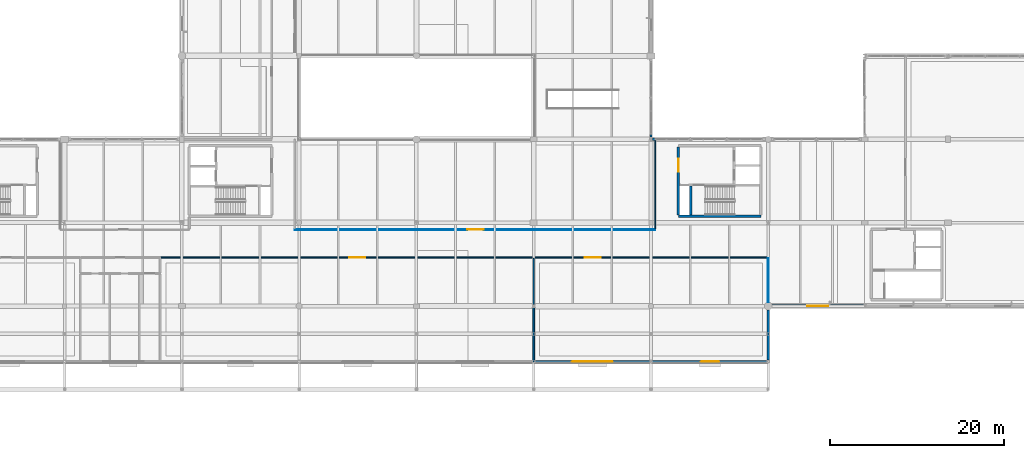
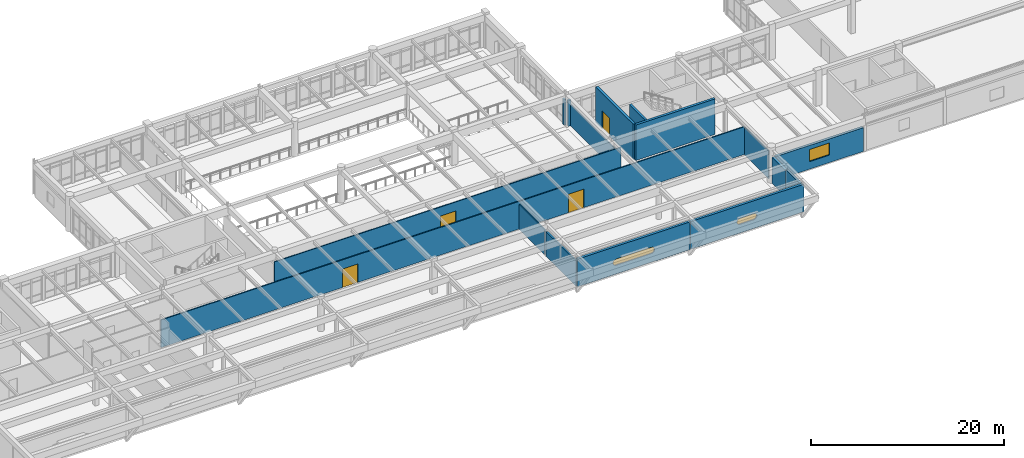
# One storey, part 67 of 80: 16 walls, 4 doors, 3 windows, 7 openings.
"""IFC4 building model written with IfcOpenShell, lengths in metres."""

import ifcopenshell
import ifcopenshell.guid

model = None  # the IFC model being written
_history = None  # IfcOwnerHistory: only IFC2X3 demands one
_inside = {}  # id of a spatial element -> (the spatial element, [elements in it])
_under = {}  # id of a project, library or spatial element -> (it, [spatial elements below it])
_declared = {}  # id of a project -> (the project, [libraries it declares])
_typed = {}  # id of a type object -> (the type object, [elements of that type])
_made_of = {}  # id of a material, layer set ... -> (it, [elements and type objects made of it])


def new_model(schema):
    """Start an empty IFC model of exactly this schema.

    Asked for "IFC4X3", IfcOpenShell would pick the latest addendum, in which some entities
    have other attributes; the version numbers below select the first issue.
    IFC2X3 requires an IfcOwnerHistory on every rooted entity: one is made here for all.
    """
    global model, _history
    if schema == "IFC4X3":
        model = ifcopenshell.file(schema_version=(4, 3, 0, 0))
    else:
        model = ifcopenshell.file(schema=schema)
    _inside.clear()
    _under.clear()
    _declared.clear()
    _typed.clear()
    _made_of.clear()
    _history = None
    if model.schema == "IFC2X3":
        org = make("IfcOrganization", Name="unknown")
        user = make(
            "IfcPersonAndOrganization",
            ThePerson=make("IfcPerson", FamilyName="unknown"),
            TheOrganization=org,
        )
        app = make(
            "IfcApplication",
            ApplicationDeveloper=org,
            Version="unknown",
            ApplicationFullName="unknown",
            ApplicationIdentifier="unknown",
        )
        _history = make(
            "IfcOwnerHistory",
            OwningUser=user,
            OwningApplication=app,
            ChangeAction="ADDED",
            CreationDate=0,
        )
    return model


def make(cls, **values):
    """One entity of the class cls with the attributes given. An attribute that is None is left unset."""
    return model.create_entity(
        cls, **{name: value for name, value in values.items() if value is not None}
    )


def rooted(cls, **values):
    """An entity with a GlobalId (a new one), such as an element, a storey or a relation."""
    return make(cls, GlobalId=ifcopenshell.guid.new(), OwnerHistory=_history, **values)


def si_unit(unit_type, name, prefix=None):
    """IfcSIUnit, for example si_unit("LENGTHUNIT", "METRE", prefix="MILLI")."""
    return make("IfcSIUnit", UnitType=unit_type, Prefix=prefix, Name=name)


def assignment(units):
    """IfcUnitAssignment: the units of a project."""
    return None if units is None else make("IfcUnitAssignment", Units=units)


def point(xyz):
    """IfcCartesianPoint."""
    return None if xyz is None else make("IfcCartesianPoint", Coordinates=xyz)


def direction(xyz):
    """IfcDirection."""
    return None if xyz is None else make("IfcDirection", DirectionRatios=xyz)


def frame(location, z_axis=None, x_axis=None):
    """IfcAxis2Placement3D, a coordinate frame: its origin and axes. An axis left out is left unset."""
    return make(
        "IfcAxis2Placement3D",
        Location=point(location),
        Axis=direction(z_axis),
        RefDirection=direction(x_axis),
    )


def frame_2d(location, x_axis=None):
    """IfcAxis2Placement2D, a coordinate frame in the plane: its origin and x axis."""
    return make(
        "IfcAxis2Placement2D", Location=point(location), RefDirection=direction(x_axis)
    )


def origin():
    """The frame at (0, 0, 0) with its axes left unset."""
    return frame((0.0, 0.0, 0.0))


def place(relative_to, where):
    """IfcLocalPlacement: puts the frame where relative to a parent placement (None: the world)."""
    return make(
        "IfcLocalPlacement", PlacementRelTo=relative_to, RelativePlacement=where
    )


def context(
    kind, dimensions, precision=None, world=None, true_north=None, identifier=None
):
    """IfcGeometricRepresentationContext, for example the 3D "Model" context."""
    return make(
        "IfcGeometricRepresentationContext",
        ContextIdentifier=identifier,
        ContextType=kind,
        CoordinateSpaceDimension=dimensions,
        Precision=precision,
        WorldCoordinateSystem=world,
        TrueNorth=true_north,
    )


def subcontext(parent, identifier, kind, view, scale=None):
    """IfcGeometricRepresentationSubContext, for example "Body" below "Model"."""
    return make(
        "IfcGeometricRepresentationSubContext",
        ContextIdentifier=identifier,
        ContextType=kind,
        ParentContext=parent,
        TargetScale=scale,
        TargetView=view,
    )


def project(units=None, contexts=None):
    """IfcProject with its units and contexts."""
    return rooted(
        "IfcProject",
        Name="project",
        RepresentationContexts=contexts,
        UnitsInContext=assignment(units),
    )


def spatial(cls, under=None, at=None, **own):
    """A site, building, storey or space (cls), placed at a placement, below another one or the project."""
    s = rooted(cls, ObjectPlacement=at, **own)
    if under is not None:
        _under.setdefault(under.id(), (under, []))[1].append(s)
    return s


def polyline(points):
    """IfcPolyline through the points."""
    return make("IfcPolyline", Points=[point(p) for p in points])


def profile(cls, at=None, kind="AREA", **sizes):
    """A parametric profile (cls). Its sizes go by their IFC names, for example OverallWidth=200.0."""
    return make(cls, ProfileType=kind, Position=at, **sizes)


def rectangle(**sizes):
    """IfcRectangleProfileDef."""
    return profile("IfcRectangleProfileDef", **sizes)


def outline(outer, holes=None, kind="AREA"):
    """IfcArbitraryClosedProfileDef: a profile drawn as a closed curve; with holes, ...WithVoids."""
    if holes is None:
        return make("IfcArbitraryClosedProfileDef", ProfileType=kind, OuterCurve=outer)
    return make(
        "IfcArbitraryProfileDefWithVoids",
        ProfileType=kind,
        OuterCurve=outer,
        InnerCurves=holes,
    )


def extrude(swept, where, along, depth):
    """IfcExtrudedAreaSolid: the profile swept, set in the frame where, extruded along a direction by depth."""
    return make(
        "IfcExtrudedAreaSolid",
        SweptArea=swept,
        Position=where,
        ExtrudedDirection=direction(along),
        Depth=depth,
    )


def shape(context_of_items, identifier, shape_type, items):
    """IfcShapeRepresentation: the items that make up one representation, for example the "Body"."""
    return make(
        "IfcShapeRepresentation",
        ContextOfItems=context_of_items,
        RepresentationIdentifier=identifier,
        RepresentationType=shape_type,
        Items=items,
    )


def material(Name=None, Category=None):
    """IfcMaterial."""
    return make("IfcMaterial", Name=Name, Category=Category)


def layer(
    of_material, thickness, ventilated=None, Name=None, Category=None, Priority=None
):
    """IfcMaterialLayer: one layer of a wall or slab, of a material (None: an air gap)."""
    return make(
        "IfcMaterialLayer",
        Material=of_material,
        LayerThickness=thickness,
        IsVentilated=ventilated,
        Name=Name,
        Category=Category,
        Priority=Priority,
    )


def layer_set(layers, Name=None):
    """IfcMaterialLayerSet."""
    return make("IfcMaterialLayerSet", MaterialLayers=layers, LayerSetName=Name)


def made_of(thing, what):
    """Note that an element or type object is made of a material, layer set ...; save() writes the relation."""
    if what is not None:
        _made_of.setdefault(what.id(), (what, []))[1].append(thing)
    return thing


def type_object(cls, material=None, **own):
    """A type object (cls), such as IfcWallType, which elements share."""
    return made_of(rooted(cls, **own), material)


def element(
    cls,
    number,
    at=None,
    inside=None,
    cuts=None,
    type_object=None,
    material=None,
    context=None,
    identifier="Body",
    shape_type=None,
    held_by="IfcProductDefinitionShape",
    body=None,
    shapes=None,
    **own,
):
    """One element of the class cls, such as IfcWall. Its Tag is "e" and its number.

    at: its placement. inside: the storey or other place that contains it. cuts: it is an
    opening in that element (IfcRelVoidsElement). A single representation is given by context,
    identifier, shape_type and body (its items); several are given by shapes. held_by: the class
    of the entity that holds the representations. save() writes the other relations.
    """
    e = rooted(cls, Tag="e%d" % number, ObjectPlacement=at, **own)
    if body is not None:
        shapes = [shape(context, identifier, shape_type, body)]
    if shapes is not None:
        e.Representation = make(held_by, Representations=shapes)
    if inside is not None:
        _inside.setdefault(inside.id(), (inside, []))[1].append(e)
    if cuts is not None:
        rooted(
            "IfcRelVoidsElement", RelatingBuildingElement=cuts, RelatedOpeningElement=e
        )
    if type_object is not None:
        _typed.setdefault(type_object.id(), (type_object, []))[1].append(e)
    return made_of(e, material)


def fill(opening, filler):
    """IfcRelFillsElement: the door or window that sits in an opening."""
    return rooted(
        "IfcRelFillsElement",
        RelatingOpeningElement=opening,
        RelatedBuildingElement=filler,
    )


def aggregate(whole, parts):
    """IfcRelAggregates: a whole, such as a stair, and the parts it consists of."""
    return rooted("IfcRelAggregates", RelatingObject=whole, RelatedObjects=parts)


def save(model, path):
    """Write the relations noted so far, then the file.

    IfcRelAggregates (storeys below a building ...), IfcRelContainedInSpatialStructure (elements
    in a storey), IfcRelDefinesByType, IfcRelAssociatesMaterial and IfcRelDeclares: one each for
    every whole, place, type object, material and project.
    """
    for whole, parts in _under.values():
        aggregate(whole, parts)
    for where, things in _inside.values():
        rooted(
            "IfcRelContainedInSpatialStructure",
            RelatedElements=things,
            RelatingStructure=where,
        )
    for kind, things in _typed.values():
        rooted("IfcRelDefinesByType", RelatedObjects=things, RelatingType=kind)
    for what, things in _made_of.values():
        rooted("IfcRelAssociatesMaterial", RelatedObjects=things, RelatingMaterial=what)
    for by, libraries in _declared.values():
        rooted("IfcRelDeclares", RelatingContext=by, RelatedDefinitions=libraries)
    model.write(path)


model = new_model("IFC4")

# Units and contexts
model_context = context("Model", 3, precision=1e-05, world=origin(), true_north=direction((0.0, 1.0)))
body_context = subcontext(model_context, "Body", "Model", "MODEL_VIEW")
ifc_project = project(units=[si_unit("LENGTHUNIT", "METRE"), si_unit("AREAUNIT", "SQUARE_METRE"), si_unit("VOLUMEUNIT", "CUBIC_METRE"), si_unit("PLANEANGLEUNIT", "RADIAN"), si_unit("MASSUNIT", "GRAM", prefix="KILO")], contexts=[model_context])

# Site, building, storey
site_placement = place(None, origin())
site = spatial("IfcSite", under=ifc_project, at=site_placement, CompositionType="ELEMENT")
building_placement = place(site_placement, origin())
building = spatial("IfcBuilding", under=site, at=building_placement, Name="Fikremerkos Civic Library", CompositionType="ELEMENT")
storey_placement = place(building_placement, frame((0.0, 0.0, 9.89990234375)))
storey = spatial("IfcBuildingStorey", under=building, at=storey_placement, Name="L02", CompositionType="ELEMENT", Elevation=9.89990234375)

# Wall
ifc_material_1 = material(Name="Concrete C40/50", Category="concrete")
ifc_layer_1 = layer(ifc_material_1, 0.300048828125, Name="Concrete C40/50")
ifc_layer_set_1 = layer_set([ifc_layer_1], Name="Concrete C40/50")
wall_type_1 = type_object("IfcWallType", Name="Core shear wall CSW-01 300", PredefinedType="SHEAR", material=ifc_layer_set_1)
wall_1_placement = place(storey_placement, frame((112.85009765625, 22.35009765625, 0.0), z_axis=(0.0, 0.0, 1.0), x_axis=(-1.0, 0.0, 0.0)))
element("IfcWall", 1, at=wall_1_placement, inside=storey, type_object=wall_type_1, Name="Core K2 south shear wall L02", PredefinedType="SHEAR", context=body_context, shape_type="SweptSolid", body=[
    extrude(rectangle(XDim=9.5, YDim=0.300048828125, at=frame_2d((4.75, 0.0))), origin(), (0.0, 0.0, 1.0), 4.5),
])

# Wall, opening, door
wall_2_placement = place(storey_placement, frame((103.35009765625, 22.501953125, 0.0), z_axis=(0.0, 0.0, 1.0), x_axis=(0.0, 1.0, 0.0)))
wall_2 = element("IfcWall", 2, at=wall_2_placement, inside=storey, type_object=wall_type_1, Name="Core K2 west shear wall L02", PredefinedType="SHEAR", context=body_context, shape_type="SweptSolid", body=[
    extrude(rectangle(XDim=7.796142578125, YDim=0.300048828125, at=frame_2d((3.89794921875, 0.0))), origin(), (0.0, 0.0, 1.0), 4.5),
])
opening_1_placement = place(wall_2_placement, frame((4.947998046875, 0.0, 0.0)))
opening_1 = element("IfcOpeningElement", 3, at=opening_1_placement, cuts=wall_2, Name="Opening D065", PredefinedType="OPENING", context=body_context, shape_type="SweptSolid", body=[
    extrude(rectangle(XDim=1.5, YDim=2.25, at=frame_2d((0.75, 1.125))), frame((0.0, 0.159912109375, 0.0), z_axis=(0.0, -1.0, 0.0), x_axis=(1.0, 0.0, 0.0)), (0.0, 0.0, 1.0), 0.320068359375),
])
ifc_material_2 = material(Name="Hardwood timber and acoustic glass", Category="wood")
door_type_1 = type_object("IfcDoorType", Name="Pedestrian door DT-05 1500x2250", OperationType="NOTDEFINED", PredefinedType="DOOR", material=ifc_material_2)
door_1_placement = place(opening_1_placement, origin())
door_1 = element("IfcDoor", 4, at=door_1_placement, inside=storey, type_object=door_type_1, Name="Core K2 lobby fire door D065 L02", OperationType="SINGLE_SWING_LEFT", OverallHeight=2.25, OverallWidth=1.5, PredefinedType="DOOR", context=body_context, shape_type="SweptSolid", body=[
    extrude(rectangle(XDim=1.5, YDim=2.25, at=frame_2d((0.75, 1.125))), frame((0.0, 0.032470703125, 0.0), z_axis=(0.0, -1.0, 0.0), x_axis=(1.0, 0.0, 0.0)), (0.0, 0.0, 1.0), 0.06494140625),
])
fill(opening_1, door_1)

# Wall
ifc_layer_2 = layer(ifc_material_1, 0.260009765625, Name="Concrete C40/50")
ifc_layer_set_2 = layer_set([ifc_layer_2], Name="Concrete C40/50")
wall_type_2 = type_object("IfcWallType", Name="Core shear wall CSW-02 260", PredefinedType="SHEAR", material=ifc_layer_set_2)
wall_3_placement = place(storey_placement, frame((104.77001953125, 22.501953125, 0.0), z_axis=(0.0, 0.0, 1.0), x_axis=(0.0, 1.0, 0.0)))
element("IfcWall", 5, at=wall_3_placement, inside=storey, type_object=wall_type_2, Name="Core K2 stair-riser shear wall L02", PredefinedType="SHEAR", context=body_context, shape_type="SweptSolid", body=[
    extrude(rectangle(XDim=3.296142578125, YDim=0.260009765625, at=frame_2d((1.64794921875, 0.0))), origin(), (0.0, 0.0, 1.0), 4.5),
])

# Wall, opening, window
ifc_material_3 = material(Name="Precast concrete C40/50", Category="concrete")
ifc_layer_3 = layer(ifc_material_3, 0.320068359375, Name="Precast concrete C40/50")
ifc_layer_set_3 = layer_set([ifc_layer_3], Name="Precast concrete C40/50")
wall_type_3 = type_object("IfcWallType", Name="Exterior solid wall ESW-02 320", PredefinedType="SOLIDWALL", material=ifc_layer_set_3)
wall_4_placement = place(storey_placement, frame((124.652099609375, 12.0, 0.0), z_axis=(0.0, 0.0, 1.0), x_axis=(-1.0, 0.0, 0.0)))
wall_4 = element("IfcWall", 6, at=wall_4_placement, inside=storey, type_object=wall_type_3, Name="Exterior solid wall ESW-02 L02 #541", PredefinedType="SOLIDWALL", context=body_context, shape_type="SweptSolid", body=[
    extrude(rectangle(XDim=10.504150390625, YDim=0.320068359375, at=frame_2d((5.251953125, 0.0))), origin(), (0.0, 0.0, 1.0), 3.010009765625),
])
opening_2_placement = place(wall_4_placement, frame((4.052001953125, 0.0, 0.949951171875)))
opening_2 = element("IfcOpeningElement", 7, at=opening_2_placement, cuts=wall_4, Name="Opening CWND-01", PredefinedType="OPENING", context=body_context, shape_type="SweptSolid", body=[
    extrude(rectangle(XDim=2.39990234375, YDim=1.550048828125, at=frame_2d((1.199951171875, 0.77490234375))), frame((0.0, 0.169921875, 0.0), z_axis=(0.0, -1.0, 0.0), x_axis=(1.0, 0.0, 0.0)), (0.0, 0.0, 1.0), 0.340087890625),
])
ifc_material_4 = material(Name="Solar control double glazing", Category="glass")
window_type_1 = type_object("IfcWindowType", Name="Courtyard window CWND-01 2400x1550", PartitioningType="SINGLE_PANEL", PredefinedType="WINDOW", material=ifc_material_4)
window_1_placement = place(opening_2_placement, origin())
window_1 = element("IfcWindow", 8, at=window_1_placement, inside=storey, type_object=window_type_1, Name="Courtyard window CWND-01 L02 #33", OverallHeight=1.550048828125, OverallWidth=2.39990234375, PartitioningType="SINGLE_PANEL", PredefinedType="WINDOW", context=body_context, shape_type="SweptSolid", body=[
    extrude(rectangle(XDim=2.39990234375, YDim=1.550048828125, at=frame_2d((1.199951171875, 0.77490234375))), frame((0.0, 0.032470703125, 0.0), z_axis=(0.0, -1.0, 0.0), x_axis=(1.0, 0.0, 0.0)), (0.0, 0.0, 1.0), 0.06494140625),
])
fill(opening_2, window_1)

ifc_layer_4 = layer(ifc_material_3, 0.300048828125, Name="Precast concrete C40/50")
ifc_layer_set_4 = layer_set([ifc_layer_4], Name="Precast concrete C40/50")
wall_type_4 = type_object("IfcWallType", Name="Exterior solid wall ESW-03 300", PredefinedType="SOLIDWALL", material=ifc_layer_set_4)
wall_5_placement = place(storey_placement, frame((113.81005859375, 5.60009765625, 0.0), z_axis=(0.0, 0.0, 1.0), x_axis=(-1.0, 0.0, 0.0)))
wall_5 = element("IfcWall", 9, at=wall_5_placement, inside=storey, type_object=wall_type_4, Name="Cantilever concrete band wall ESW-03 L02 #457", PredefinedType="SOLIDWALL", context=body_context, shape_type="SweptSolid", body=[
    extrude(rectangle(XDim=13.608154296875, YDim=0.300048828125, at=frame_2d((6.80419921875, 0.0))), origin(), (0.0, 0.0, 1.0), 3.5),
])
opening_3_placement = place(wall_5_placement, frame((5.60400390625, 0.0, 1.10009765625)))
opening_3 = element("IfcOpeningElement", 10, at=opening_3_placement, cuts=wall_5, Name="Opening SW-08", PredefinedType="OPENING", context=body_context, shape_type="SweptSolid", body=[
    extrude(outline(polyline([(0.375, 0.75), (0.246826171875, 0.727294921875), (0.134033203125, 0.662353515625), (0.05029296875, 0.5625), (0.005615234375, 0.440185546875), (0.005615234375, 0.309814453125), (0.05029296875, 0.1875), (0.134033203125, 0.087646484375), (0.246826171875, 0.022705078125), (0.375, 0.0), (2.02490234375, 0.0), (2.153076171875, 0.022705078125), (2.265869140625, 0.087646484375), (2.349609375, 0.1875), (2.394287109375, 0.309814453125), (2.394287109375, 0.440185546875), (2.349609375, 0.5625), (2.265869140625, 0.662353515625), (2.153076171875, 0.727294921875), (2.02490234375, 0.75), (0.375, 0.75)])), frame((0.0, 0.159912109375, 0.0), z_axis=(0.0, -1.0, 0.0), x_axis=(1.0, 0.0, 0.0)), (0.0, 0.0, 1.0), 0.320068359375),
])
window_type_2 = type_object("IfcWindowType", Name="Facade slot window SW-08 2400x750", PartitioningType="SINGLE_PANEL", PredefinedType="WINDOW", material=ifc_material_4)
window_2_placement = place(opening_3_placement, origin())
window_2 = element("IfcWindow", 11, at=window_2_placement, inside=storey, type_object=window_type_2, Name="Rounded-end facade slot window SW-08 L02 #8", OverallHeight=0.75, OverallWidth=2.39990234375, PartitioningType="SINGLE_PANEL", PredefinedType="WINDOW", context=body_context, shape_type="SweptSolid", body=[
    extrude(outline(polyline([(0.375, 0.75), (0.246826171875, 0.727294921875), (0.134033203125, 0.662353515625), (0.05029296875, 0.5625), (0.005615234375, 0.440185546875), (0.005615234375, 0.309814453125), (0.05029296875, 0.1875), (0.134033203125, 0.087646484375), (0.246826171875, 0.022705078125), (0.375, 0.0), (2.02490234375, 0.0), (2.153076171875, 0.022705078125), (2.265869140625, 0.087646484375), (2.349609375, 0.1875), (2.394287109375, 0.309814453125), (2.394287109375, 0.440185546875), (2.349609375, 0.5625), (2.265869140625, 0.662353515625), (2.153076171875, 0.727294921875), (2.02490234375, 0.75), (0.375, 0.75)])), frame((0.0, 0.032470703125, 0.0), z_axis=(0.0, -1.0, 0.0), x_axis=(1.0, 0.0, 0.0)), (0.0, 0.0, 1.0), 0.06494140625),
])
fill(opening_3, window_2)

wall_6_placement = place(storey_placement, frame((100.197998046875, 5.60009765625, 0.0), z_axis=(0.0, 0.0, 1.0), x_axis=(-1.0, 0.0, 0.0)))
wall_6 = element("IfcWall", 12, at=wall_6_placement, inside=storey, type_object=wall_type_4, Name="Cantilever concrete band wall ESW-03 L02 #458", PredefinedType="SOLIDWALL", context=body_context, shape_type="SweptSolid", body=[
    extrude(rectangle(XDim=13.49609375, YDim=0.300048828125, at=frame_2d((6.748046875, 0.0))), origin(), (0.0, 0.0, 1.0), 3.5),
])
opening_4_placement = place(wall_6_placement, frame((4.248046875, 0.0, 1.10009765625)))
opening_4 = element("IfcOpeningElement", 13, at=opening_4_placement, cuts=wall_6, Name="Opening SW-09", PredefinedType="OPENING", context=body_context, shape_type="SweptSolid", body=[
    extrude(outline(polyline([(0.39990234375, 0.800048828125), (0.26318359375, 0.77587890625), (0.142822265625, 0.70654296875), (0.0537109375, 0.60009765625), (0.006103515625, 0.469482421875), (0.006103515625, 0.33056640625), (0.0537109375, 0.199951171875), (0.142822265625, 0.093505859375), (0.26318359375, 0.024169921875), (0.39990234375, 0.0), (4.60009765625, 0.0), (4.73681640625, 0.024169921875), (4.857177734375, 0.093505859375), (4.9462890625, 0.199951171875), (4.993896484375, 0.33056640625), (4.993896484375, 0.469482421875), (4.9462890625, 0.60009765625), (4.857177734375, 0.70654296875), (4.73681640625, 0.77587890625), (4.60009765625, 0.800048828125), (0.39990234375, 0.800048828125)])), frame((0.0, 0.159912109375, 0.0), z_axis=(0.0, -1.0, 0.0), x_axis=(1.0, 0.0, 0.0)), (0.0, 0.0, 1.0), 0.320068359375),
])
window_type_3 = type_object("IfcWindowType", Name="Facade slot window SW-09 5000x800", PartitioningType="SINGLE_PANEL", PredefinedType="WINDOW", material=ifc_material_4)
window_3_placement = place(opening_4_placement, origin())
window_3 = element("IfcWindow", 14, at=window_3_placement, inside=storey, type_object=window_type_3, Name="Rounded-end facade slot window SW-09 L02 #9", OverallHeight=0.800048828125, OverallWidth=5.0, PartitioningType="SINGLE_PANEL", PredefinedType="WINDOW", context=body_context, shape_type="SweptSolid", body=[
    extrude(outline(polyline([(0.39990234375, 0.800048828125), (0.26318359375, 0.77587890625), (0.142822265625, 0.70654296875), (0.0537109375, 0.60009765625), (0.006103515625, 0.469482421875), (0.006103515625, 0.33056640625), (0.0537109375, 0.199951171875), (0.142822265625, 0.093505859375), (0.26318359375, 0.024169921875), (0.39990234375, 0.0), (4.60009765625, 0.0), (4.73681640625, 0.024169921875), (4.857177734375, 0.093505859375), (4.9462890625, 0.199951171875), (4.993896484375, 0.33056640625), (4.993896484375, 0.469482421875), (4.9462890625, 0.60009765625), (4.857177734375, 0.70654296875), (4.73681640625, 0.77587890625), (4.60009765625, 0.800048828125), (0.39990234375, 0.800048828125)])), frame((0.0, 0.032470703125, 0.0), z_axis=(0.0, -1.0, 0.0), x_axis=(1.0, 0.0, 0.0)), (0.0, 0.0, 1.0), 0.06494140625),
])
fill(opening_4, window_3)

# Walls
wall_7_placement = place(storey_placement, frame((113.699951171875, 11.552001953125, 0.0), z_axis=(0.0, 0.0, 1.0), x_axis=(0.0, -1.0, 0.0)))
element("IfcWall", 15, at=wall_7_placement, inside=storey, type_object=wall_type_4, Name="Exterior solid wall ESW-03 L02 #542", PredefinedType="SOLIDWALL", context=body_context, shape_type="SweptSolid", body=[
    extrude(rectangle(XDim=2.75, YDim=0.300048828125, at=frame_2d((1.375, 0.0))), origin(), (0.0, 0.0, 1.0), 3.300048828125),
])
ifc_layer_5 = layer(ifc_material_3, 0.280029296875, Name="Precast concrete C40/50")
ifc_layer_set_5 = layer_set([ifc_layer_5], Name="Precast concrete C40/50")
wall_type_5 = type_object("IfcWallType", Name="Exterior solid wall ESW-04 280", PredefinedType="SOLIDWALL", material=ifc_layer_set_5)
wall_8_placement = place(storey_placement, frame((113.699951171875, 8.798095703125, 0.0), z_axis=(0.0, 0.0, 1.0), x_axis=(0.0, -1.0, 0.0)))
element("IfcWall", 16, at=wall_8_placement, inside=storey, type_object=wall_type_5, Name="Exterior solid wall ESW-04 L02 #543", PredefinedType="SOLIDWALL", context=body_context, shape_type="SweptSolid", body=[
    extrude(rectangle(XDim=3.01806640625, YDim=0.280029296875, at=frame_2d((1.509033203125, 0.0))), origin(), (0.0, 0.0, 1.0), 3.43017578125),
])
ifc_layer_6 = layer(ifc_material_3, 0.25, Name="Precast concrete C40/50")
ifc_layer_set_6 = layer_set([ifc_layer_6], Name="Precast concrete C40/50")
wall_type_6 = type_object("IfcWallType", Name="Exterior solid wall ESW-05 250", PredefinedType="SOLIDWALL", material=ifc_layer_set_6)
for number, where, z_axis, x_axis, name in (
    (17, (100.199951171875, 31.798095703125, 0.0), (0.0, 0.0, 1.0), (0.0, -1.0, 0.0), "Exterior facade pier ESW-05 #510"),
    (18, (100.347900390625, 31.199951171875, 0.0), (0.0, 0.0, 1.0), (1.0, 0.0, 0.0), "Exterior facade pier ESW-05 #512"),
):
    element("IfcWall", number, at=place(storey_placement, frame(where, z_axis=z_axis, x_axis=x_axis)), inside=storey, type_object=wall_type_6, Name=name, PredefinedType="SOLIDWALL", context=body_context, shape_type="SweptSolid", body=[
        extrude(rectangle(XDim=0.35009765625, YDim=0.25, at=frame_2d((0.175048828125, 0.0))), origin(), (0.0, 0.0, 1.0), 3.25),
    ])
ifc_material_5 = material(Name="Acoustic concrete blockwork", Category="masonry")
ifc_layer_7 = layer(ifc_material_5, 0.18994140625, Name="Acoustic concrete blockwork")
ifc_layer_set_7 = layer_set([ifc_layer_7], Name="Acoustic concrete blockwork")
wall_type_7 = type_object("IfcWallType", Name="Interior partition wall IPW-01 190", PredefinedType="PARTITIONING", material=ifc_layer_set_7)
wall_9_placement = place(storey_placement, frame((86.699951171875, 5.580078125, 0.0), z_axis=(0.0, 0.0, 1.0), x_axis=(0.0, 1.0, 0.0)))
element("IfcWall", 19, at=wall_9_placement, inside=storey, type_object=wall_type_7, Name="Interior wall IPW-01 L02 #200", PredefinedType="PARTITIONING", context=body_context, shape_type="SweptSolid", body=[
    extrude(rectangle(XDim=6.23681640625, YDim=0.18994140625, at=frame_2d((3.118408203125, 0.0))), origin(), (0.0, 0.0, 1.0), 3.150146484375),
])
ifc_material_6 = material(Name="Acoustic gypsum stud partition")
ifc_layer_8 = layer(ifc_material_6, 0.14990234375, Name="Acoustic gypsum stud partition")
ifc_layer_set_8 = layer_set([ifc_layer_8], Name="Acoustic gypsum stud partition")
wall_type_8 = type_object("IfcWallType", Name="Interior partition wall IPW-02 150", PredefinedType="PARTITIONING", material=ifc_layer_set_8)
wall_10_placement = place(storey_placement, frame((86.699951171875, 12.18310546875, 0.0), z_axis=(0.0, 0.0, 1.0), x_axis=(0.0, 1.0, 0.0)))
element("IfcWall", 20, at=wall_10_placement, inside=storey, type_object=wall_type_8, Name="Interior wall IPW-02 L02 #201", PredefinedType="PARTITIONING", context=body_context, shape_type="SweptSolid", body=[
    extrude(rectangle(XDim=5.31201171875, YDim=0.14990234375, at=frame_2d((2.656005859375, 0.0))), origin(), (0.0, 0.0, 1.0), 3.150146484375),
])

# Wall, openings, doors
ifc_material_7 = material(Name="Gypsum metal stud partition")
ifc_layer_9 = layer(ifc_material_7, 0.1298828125, Name="Gypsum metal stud partition")
ifc_layer_set_9 = layer_set([ifc_layer_9], Name="Gypsum metal stud partition")
wall_type_9 = type_object("IfcWallType", Name="Interior partition wall IPW-03 130", PredefinedType="PARTITIONING", material=ifc_layer_set_9)
wall_11_placement = place(storey_placement, frame((43.75, 17.60009765625, 0.0), z_axis=(0.0, 0.0, 1.0), x_axis=(1.0, 0.0, 0.0)))
wall_11 = element("IfcWall", 21, at=wall_11_placement, inside=storey, type_object=wall_type_9, Name="Interior wall IPW-03 L02 #190", PredefinedType="PARTITIONING", context=body_context, shape_type="SweptSolid", body=[
    extrude(rectangle(XDim=69.949951171875, YDim=0.1298828125, at=frame_2d((34.97509765625, 0.0))), origin(), (0.0, 0.0, 1.0), 3.5),
])
opening_5_placement = place(wall_11_placement, frame((21.72509765625, 0.0, 0.0)))
opening_5 = element("IfcOpeningElement", 22, at=opening_5_placement, cuts=wall_11, Name="Opening D221", PredefinedType="OPENING", context=body_context, shape_type="SweptSolid", body=[
    extrude(rectangle(XDim=1.85009765625, YDim=2.35009765625, at=frame_2d((0.925048828125, 1.175048828125))), frame((0.0, 0.074951171875, 0.0), z_axis=(0.0, -1.0, 0.0), x_axis=(1.0, 0.0, 0.0)), (0.0, 0.0, 1.0), 0.14990234375),
])
opening_6_placement = place(wall_11_placement, frame((48.824951171875, 0.0, 0.0)))
opening_6 = element("IfcOpeningElement", 23, at=opening_6_placement, cuts=wall_11, Name="Opening D222", PredefinedType="OPENING", context=body_context, shape_type="SweptSolid", body=[
    extrude(rectangle(XDim=1.85009765625, YDim=2.35009765625, at=frame_2d((0.925048828125, 1.175048828125))), frame((0.0, 0.074951171875, 0.0), z_axis=(0.0, -1.0, 0.0), x_axis=(1.0, 0.0, 0.0)), (0.0, 0.0, 1.0), 0.14990234375),
])
door_type_2 = type_object("IfcDoorType", Name="Pedestrian door DT-09 1850x2350", OperationType="NOTDEFINED", PredefinedType="DOOR", material=ifc_material_2)
door_2_placement = place(opening_5_placement, origin())
door_2 = element("IfcDoor", 24, at=door_2_placement, inside=storey, type_object=door_type_2, Name="Interior door D221 L02", OperationType="SINGLE_SWING_RIGHT", OverallHeight=2.35009765625, OverallWidth=1.85009765625, PredefinedType="DOOR", context=body_context, shape_type="SweptSolid", body=[
    extrude(rectangle(XDim=1.85009765625, YDim=2.35009765625, at=frame_2d((0.925048828125, 1.175048828125))), frame((0.0, 0.032470703125, 0.0), z_axis=(0.0, -1.0, 0.0), x_axis=(1.0, 0.0, 0.0)), (0.0, 0.0, 1.0), 0.06494140625),
])
fill(opening_5, door_2)
door_3_placement = place(opening_6_placement, origin())
door_3 = element("IfcDoor", 25, at=door_3_placement, inside=storey, type_object=door_type_2, Name="Interior door D222 L02", OperationType="SINGLE_SWING_LEFT", OverallHeight=2.35009765625, OverallWidth=1.85009765625, PredefinedType="DOOR", context=body_context, shape_type="SweptSolid", body=[
    extrude(rectangle(XDim=1.85009765625, YDim=2.35009765625, at=frame_2d((0.925048828125, 1.175048828125))), frame((0.0, 0.032470703125, 0.0), z_axis=(0.0, -1.0, 0.0), x_axis=(1.0, 0.0, 0.0)), (0.0, 0.0, 1.0), 0.06494140625),
])
fill(opening_6, door_3)

# Wall
wall_12_placement = place(storey_placement, frame((100.699951171875, 20.905029296875, 0.0), z_axis=(0.0, 0.0, 1.0), x_axis=(0.0, 1.0, 0.0)))
element("IfcWall", 26, at=wall_12_placement, inside=storey, type_object=wall_type_9, Name="Interior wall IPW-03 L02 #202", PredefinedType="PARTITIONING", context=body_context, shape_type="SweptSolid", body=[
    extrude(rectangle(XDim=10.166015625, YDim=0.1298828125, at=frame_2d((5.0830078125, 0.0))), origin(), (0.0, 0.0, 1.0), 2.64013671875),
])

# Wall, opening, door
ifc_material_8 = material(Name="Lightweight metal stud partition")
ifc_layer_10 = layer(ifc_material_8, 0.110107421875, Name="Lightweight metal stud partition")
ifc_layer_set_10 = layer_set([ifc_layer_10], Name="Lightweight metal stud partition")
wall_type_10 = type_object("IfcWallType", Name="Interior partition wall IPW-04 110", PredefinedType="PARTITIONING", material=ifc_layer_set_10)
wall_13_placement = place(storey_placement, frame((59.199951171875, 20.800048828125, 0.0), z_axis=(0.0, 0.0, 1.0), x_axis=(1.0, 0.0, 0.0)))
wall_13 = element("IfcWall", 27, at=wall_13_placement, inside=storey, type_object=wall_type_10, Name="Interior wall IPW-04 L02 #191", PredefinedType="PARTITIONING", context=body_context, shape_type="SweptSolid", body=[
    extrude(rectangle(XDim=41.5, YDim=0.110107421875, at=frame_2d((20.75, 0.0))), origin(), (0.0, 0.0, 1.0), 3.5),
])
opening_7_placement = place(wall_13_placement, frame((19.875, 0.0, 0.0)))
opening_7 = element("IfcOpeningElement", 28, at=opening_7_placement, cuts=wall_13, Name="Opening D223", PredefinedType="OPENING", context=body_context, shape_type="SweptSolid", body=[
    extrude(rectangle(XDim=1.85009765625, YDim=2.35009765625, at=frame_2d((0.925048828125, 1.175048828125))), frame((0.0, 0.06494140625, 0.0), z_axis=(0.0, -1.0, 0.0), x_axis=(1.0, 0.0, 0.0)), (0.0, 0.0, 1.0), 0.130126953125),
])
door_4_placement = place(opening_7_placement, origin())
door_4 = element("IfcDoor", 29, at=door_4_placement, inside=storey, type_object=door_type_2, Name="Interior door D223 L02", OperationType="SINGLE_SWING_RIGHT", OverallHeight=2.35009765625, OverallWidth=1.85009765625, PredefinedType="DOOR", context=body_context, shape_type="SweptSolid", body=[
    extrude(rectangle(XDim=1.85009765625, YDim=2.35009765625, at=frame_2d((0.925048828125, 1.175048828125))), frame((0.0, 0.032470703125, 0.0), z_axis=(0.0, -1.0, 0.0), x_axis=(1.0, 0.0, 0.0)), (0.0, 0.0, 1.0), 0.06494140625),
])
fill(opening_7, door_4)

# Wall
wall_14_placement = place(storey_placement, frame((113.699951171875, 12.452880859375, 0.0), z_axis=(0.0, 0.0, 1.0), x_axis=(0.0, 1.0, 0.0)))
element("IfcWall", 30, at=wall_14_placement, inside=storey, type_object=wall_type_10, Name="Interior wall IPW-04 L02 #203", PredefinedType="PARTITIONING", context=body_context, shape_type="SweptSolid", body=[
    extrude(rectangle(XDim=5.042236328125, YDim=0.110107421875, at=frame_2d((2.52099609375, 0.0))), origin(), (0.0, 0.0, 1.0), 3.5),
])

save(model, "model.ifc")
